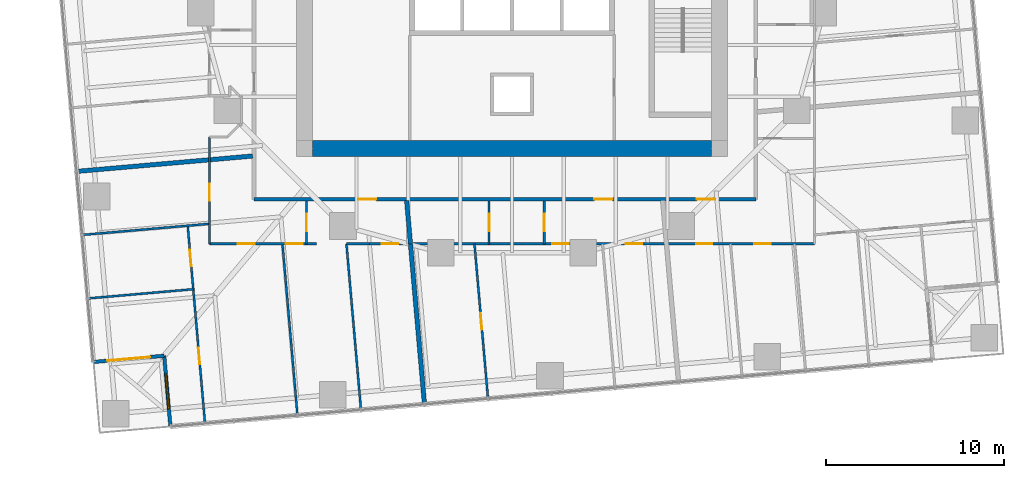
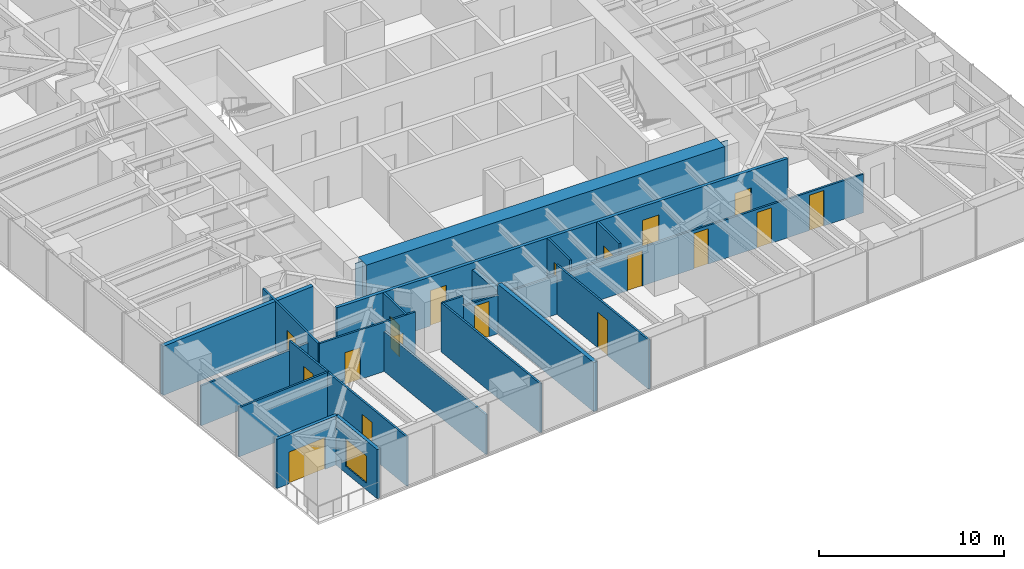
# One storey, part 8 of 14: 20 walls, 18 doors, 1 window, 19 openings.
"""IFC4 building model written with IfcOpenShell, lengths in metres."""

from ifc_helpers import new_model, si_unit, direction, frame, frame_2d, origin, place, context, subcontext, project, spatial, polyline, rectangle, outline, extrude, material, layer, layer_set, type_object, element, fill, save


model = new_model("IFC4")

# Units and contexts
model_context = context("Model", 3, precision=1e-05, world=origin(), true_north=direction((0.0, 1.0)))
body_context = subcontext(model_context, "Body", "Model", "MODEL_VIEW")
ifc_project = project(units=[si_unit("LENGTHUNIT", "METRE"), si_unit("AREAUNIT", "SQUARE_METRE"), si_unit("VOLUMEUNIT", "CUBIC_METRE"), si_unit("PLANEANGLEUNIT", "RADIAN"), si_unit("MASSUNIT", "GRAM", prefix="KILO")], contexts=[model_context])

# Site, building, storey
site_placement = place(None, origin())
site = spatial("IfcSite", under=ifc_project, at=site_placement, CompositionType="ELEMENT")
building_placement = place(site_placement, origin())
building = spatial("IfcBuilding", under=site, at=building_placement, Name="Torsade Residences", CompositionType="ELEMENT")
storey_placement = place(building_placement, frame((0.0, 0.0, 54.0)))
storey = spatial("IfcBuildingStorey", under=building, at=storey_placement, Name="L14", CompositionType="ELEMENT", Elevation=54.0)

# Wall
ifc_material_1 = material(Name="Concrete 80 MPa", Category="concrete")
ifc_layer_1 = layer(ifc_material_1, 0.89990234375)
ifc_layer_set_1 = layer_set([ifc_layer_1], Name="Concrete 80 MPa")
wall_type_1 = type_object("IfcWallType", Name="CORE WALL 900", PredefinedType="SHEAR", material=ifc_layer_set_1)
wall_1_placement = place(storey_placement, frame((51.199951171875, 18.35009765625, 0.0), z_axis=(0.0, 0.0, 1.0), x_axis=(-1.0, 0.0, 0.0)))
element("IfcWall", 1, at=wall_1_placement, inside=storey, type_object=wall_type_1, Name="Core wall S L14", PredefinedType="SHEAR", context=body_context, shape_type="SweptSolid", body=[
    extrude(outline(polyline([(0.0, -0.449951171875), (22.39990234375, -0.449951171875), (22.39990234375, -0.02490234375), (22.849853515625, -0.02490234375), (22.849853515625, 0.02490234375), (22.39990234375, 0.02490234375), (22.39990234375, 0.449951171875), (0.0, 0.449951171875), (0.0, 0.02490234375), (-0.449951171875, 0.02490234375), (-0.449951171875, -0.02490234375), (0.0, -0.02490234375), (0.0, -0.449951171875)])), origin(), (0.0, 0.0, 1.0), 3.39990234375),
])

# Wall, openings, doors
ifc_material_2 = material(Name="Plasterboard on steel stud", Category="steel")
ifc_layer_2 = layer(ifc_material_2, 0.199951171875)
ifc_layer_set_2 = layer_set([ifc_layer_2], Name="Plasterboard on steel stud")
wall_type_2 = type_object("IfcWallType", Name="CORRIDOR WALL 200", PredefinedType="PARTITIONING", material=ifc_layer_set_2)
wall_2_placement = place(storey_placement, frame((25.5, 15.5, 0.0), z_axis=(0.0, 0.0, 1.0), x_axis=(1.0, 0.0, 0.0)))
wall_2 = element("IfcWall", 2, at=wall_2_placement, inside=storey, type_object=wall_type_2, Name="Corridor wall L14", PredefinedType="PARTITIONING", context=body_context, shape_type="SweptSolid", body=[
    extrude(rectangle(XDim=28.199951171875, YDim=0.199951171875, at=frame_2d((14.10009765625, 0.0))), origin(), (0.0, 0.0, 1.0), 3.25),
])
opening_1_placement = place(wall_2_placement, frame((19.123046875, 0.0, 0.0)))
opening_1 = element("IfcOpeningElement", 3, at=opening_1_placement, cuts=wall_2, Name="Opening D01", PredefinedType="OPENING", context=body_context, shape_type="SweptSolid", body=[
    extrude(rectangle(XDim=1.02001953125, YDim=2.340087890625, at=frame_2d((0.510009765625, 1.169921875))), frame((0.0, 0.10986328125, 0.0), z_axis=(0.0, -1.0, 0.0), x_axis=(1.0, 0.0, 0.0)), (0.0, 0.0, 1.0), 0.219970703125),
])
opening_2_placement = place(wall_2_placement, frame((5.85009765625, 0.0, 0.0)))
opening_2 = element("IfcOpeningElement", 4, at=opening_2_placement, cuts=wall_2, Name="Opening D01", PredefinedType="OPENING", context=body_context, shape_type="SweptSolid", body=[
    extrude(rectangle(XDim=1.02001953125, YDim=2.340087890625, at=frame_2d((0.510009765625, 1.169921875))), frame((0.0, 0.10986328125, 0.0), z_axis=(0.0, -1.0, 0.0), x_axis=(1.0, 0.0, 0.0)), (0.0, 0.0, 1.0), 0.219970703125),
])
opening_3_placement = place(wall_2_placement, frame((24.891845703125, 0.0, 0.0)))
opening_3 = element("IfcOpeningElement", 5, at=opening_3_placement, cuts=wall_2, Name="Opening D01L", PredefinedType="OPENING", context=body_context, shape_type="SweptSolid", body=[
    extrude(rectangle(XDim=1.02001953125, YDim=2.10009765625, at=frame_2d((0.510009765625, 1.050048828125))), frame((0.0, 0.10986328125, 0.0), z_axis=(0.0, -1.0, 0.0), x_axis=(1.0, 0.0, 0.0)), (0.0, 0.0, 1.0), 0.219970703125),
])
ifc_material_3 = material(Name="Solid-core timber fire door", Category="wood")
door_type_1 = type_object("IfcDoorType", Name="APARTMENT ENTRY DOOR 1020x2100", OperationType="NOTDEFINED", PredefinedType="DOOR", material=ifc_material_3)
door_1_placement = place(opening_3_placement, origin())
door_1 = element("IfcDoor", 6, at=door_1_placement, inside=storey, type_object=door_type_1, Name="Door Residential corridor to Kitchen and dining", OperationType="SINGLE_SWING_RIGHT", OverallHeight=2.10009765625, OverallWidth=1.02001953125, PredefinedType="DOOR", context=body_context, shape_type="SweptSolid", body=[
    extrude(rectangle(XDim=1.02001953125, YDim=2.10009765625, at=frame_2d((0.510009765625, 1.050048828125))), frame((0.0, 0.02490234375, 0.0), z_axis=(0.0, -1.0, 0.0), x_axis=(1.0, 0.0, 0.0)), (0.0, 0.0, 1.0), 0.050048828125),
])
fill(opening_3, door_1)
ifc_material_4 = material(Name="Solid-core timber fire door", Category="wood")
door_type_2 = type_object("IfcDoorType", Name="APARTMENT ENTRY DOOR 1020x2340", OperationType="NOTDEFINED", PredefinedType="DOOR", material=ifc_material_4)
door_2_placement = place(opening_1_placement, origin())
door_2 = element("IfcDoor", 7, at=door_2_placement, inside=storey, type_object=door_type_2, Name="Door Residential corridor to Kitchen and dining", OperationType="SINGLE_SWING_RIGHT", OverallHeight=2.340087890625, OverallWidth=1.02001953125, PredefinedType="DOOR", context=body_context, shape_type="SweptSolid", body=[
    extrude(rectangle(XDim=1.02001953125, YDim=2.340087890625, at=frame_2d((0.510009765625, 1.169921875))), frame((0.0, 0.02490234375, 0.0), z_axis=(0.0, -1.0, 0.0), x_axis=(1.0, 0.0, 0.0)), (0.0, 0.0, 1.0), 0.050048828125),
])
fill(opening_1, door_2)
door_3_placement = place(opening_2_placement, origin())
door_3 = element("IfcDoor", 8, at=door_3_placement, inside=storey, type_object=door_type_2, Name="Door Residential corridor to Kitchen and dining", OperationType="SINGLE_SWING_RIGHT", OverallHeight=2.340087890625, OverallWidth=1.02001953125, PredefinedType="DOOR", context=body_context, shape_type="SweptSolid", body=[
    extrude(rectangle(XDim=1.02001953125, YDim=2.340087890625, at=frame_2d((0.510009765625, 1.169921875))), frame((0.0, 0.02490234375, 0.0), z_axis=(0.0, -1.0, 0.0), x_axis=(1.0, 0.0, 0.0)), (0.0, 0.0, 1.0), 0.050048828125),
])
fill(opening_2, door_3)

# Wall, opening, door
ifc_material_5 = material(Name="Plasterboard on steel stud", Category="steel")
ifc_layer_3 = layer(ifc_material_5, 0.1201171875)
ifc_layer_set_3 = layer_set([ifc_layer_3], Name="Plasterboard on steel stud")
wall_type_3 = type_object("IfcWallType", Name="PARTITION 120", PredefinedType="PARTITIONING", material=ifc_layer_set_3)
wall_3_placement = place(storey_placement, frame((23.0, 13.0, 0.0), z_axis=(0.0, 0.0, 1.0), x_axis=(0.0, 1.0, 0.0)))
wall_3 = element("IfcWall", 9, at=wall_3_placement, inside=storey, type_object=wall_type_3, Name="Partition L14", PredefinedType="PARTITIONING", context=body_context, shape_type="SweptSolid", body=[
    extrude(rectangle(XDim=6.0, YDim=0.1201171875, at=frame_2d((3.0, 0.0))), origin(), (0.0, 0.0, 1.0), 3.25),
])
opening_4_placement = place(wall_3_placement, frame((2.41796875, 0.0, 0.0)))
opening_4 = element("IfcOpeningElement", 10, at=opening_4_placement, cuts=wall_3, Name="Opening D05", PredefinedType="OPENING", context=body_context, shape_type="SweptSolid", body=[
    extrude(rectangle(XDim=0.9599609375, YDim=2.10009765625, at=frame_2d((0.47998046875, 1.050048828125))), frame((0.0, 0.070068359375, 0.0), z_axis=(0.0, -1.0, 0.0), x_axis=(1.0, 0.0, 0.0)), (0.0, 0.0, 1.0), 0.14013671875),
])
ifc_material_6 = material(Name="Hollow-core timber door in a steel cavity frame", Category="steel")
door_type_3 = type_object("IfcDoorType", Name="BATHROOM CAVITY SLIDING DOOR 960", OperationType="SLIDING_TO_LEFT", PredefinedType="DOOR", material=ifc_material_6)
door_4_placement = place(opening_4_placement, origin())
door_4 = element("IfcDoor", 11, at=door_4_placement, inside=storey, type_object=door_type_3, Name="Door Bathroom to Family room", OperationType="SLIDING_TO_LEFT", OverallHeight=2.10009765625, OverallWidth=0.9599609375, PredefinedType="DOOR", context=body_context, shape_type="SweptSolid", body=[
    extrude(rectangle(XDim=0.9599609375, YDim=2.10009765625, at=frame_2d((0.47998046875, 1.050048828125))), frame((0.0, 0.02490234375, 0.0), z_axis=(0.0, -1.0, 0.0), x_axis=(1.0, 0.0, 0.0)), (0.0, 0.0, 1.0), 0.050048828125),
])
fill(opening_4, door_4)

wall_4_placement = place(storey_placement, frame((28.45361328125, 13.0, 0.0), z_axis=(0.0, 0.0, 1.0), x_axis=(0.0, 1.0, 0.0)))
wall_4 = element("IfcWall", 12, at=wall_4_placement, inside=storey, type_object=wall_type_3, Name="Partition L14", PredefinedType="PARTITIONING", context=body_context, shape_type="SweptSolid", body=[
    extrude(rectangle(XDim=2.39990234375, YDim=0.1201171875, at=frame_2d((1.199951171875, 0.0))), origin(), (0.0, 0.0, 1.0), 3.25),
])
opening_5_placement = place(wall_4_placement, frame((0.719970703125, 0.0, 0.0)))
opening_5 = element("IfcOpeningElement", 13, at=opening_5_placement, cuts=wall_4, Name="Opening D05", PredefinedType="OPENING", context=body_context, shape_type="SweptSolid", body=[
    extrude(rectangle(XDim=0.9599609375, YDim=2.10009765625, at=frame_2d((0.47998046875, 1.050048828125))), frame((0.0, 0.070068359375, 0.0), z_axis=(0.0, -1.0, 0.0), x_axis=(1.0, 0.0, 0.0)), (0.0, 0.0, 1.0), 0.14013671875),
])
door_5_placement = place(opening_5_placement, origin())
door_5 = element("IfcDoor", 14, at=door_5_placement, inside=storey, type_object=door_type_3, Name="Door Kitchen and dining to Bathroom", OperationType="SLIDING_TO_LEFT", OverallHeight=2.10009765625, OverallWidth=0.9599609375, PredefinedType="DOOR", context=body_context, shape_type="SweptSolid", body=[
    extrude(rectangle(XDim=0.9599609375, YDim=2.10009765625, at=frame_2d((0.47998046875, 1.050048828125))), frame((0.0, 0.02490234375, 0.0), z_axis=(0.0, -1.0, 0.0), x_axis=(1.0, 0.0, 0.0)), (0.0, 0.0, 1.0), 0.050048828125),
])
fill(opening_5, door_5)

# Wall, openings, doors
wall_5_placement = place(storey_placement, frame((29.0, 13.0, 0.0), z_axis=(0.0, 0.0, 1.0), x_axis=(-1.0, 0.0, 0.0)))
wall_5 = element("IfcWall", 15, at=wall_5_placement, inside=storey, type_object=wall_type_3, Name="Partition L14", PredefinedType="PARTITIONING", context=body_context, shape_type="SweptSolid", body=[
    extrude(rectangle(XDim=6.0, YDim=0.1201171875, at=frame_2d((3.0, 0.0))), origin(), (0.0, 0.0, 1.0), 3.25),
])
opening_6_placement = place(wall_5_placement, frame((3.4453125, 0.0, 0.0)))
opening_6 = element("IfcOpeningElement", 16, at=opening_6_placement, cuts=wall_5, Name="Opening D05", PredefinedType="OPENING", context=body_context, shape_type="SweptSolid", body=[
    extrude(rectangle(XDim=0.9599609375, YDim=2.10009765625, at=frame_2d((0.47998046875, 1.050048828125))), frame((0.0, 0.070068359375, 0.0), z_axis=(0.0, -1.0, 0.0), x_axis=(1.0, 0.0, 0.0)), (0.0, 0.0, 1.0), 0.14013671875),
])
opening_7_placement = place(wall_5_placement, frame((0.768798828125, 0.0, 0.0)))
opening_7 = element("IfcOpeningElement", 17, at=opening_7_placement, cuts=wall_5, Name="Opening D05", PredefinedType="OPENING", context=body_context, shape_type="SweptSolid", body=[
    extrude(rectangle(XDim=0.9599609375, YDim=2.10009765625, at=frame_2d((0.47998046875, 1.050048828125))), frame((0.0, 0.070068359375, 0.0), z_axis=(0.0, -1.0, 0.0), x_axis=(1.0, 0.0, 0.0)), (0.0, 0.0, 1.0), 0.14013671875),
])
door_6_placement = place(opening_6_placement, origin())
door_6 = element("IfcDoor", 18, at=door_6_placement, inside=storey, type_object=door_type_3, Name="Door Bathroom to Living room", OperationType="SLIDING_TO_LEFT", OverallHeight=2.10009765625, OverallWidth=0.9599609375, PredefinedType="DOOR", context=body_context, shape_type="SweptSolid", body=[
    extrude(rectangle(XDim=0.9599609375, YDim=2.10009765625, at=frame_2d((0.47998046875, 1.050048828125))), frame((0.0, 0.02490234375, 0.0), z_axis=(0.0, -1.0, 0.0), x_axis=(1.0, 0.0, 0.0)), (0.0, 0.0, 1.0), 0.050048828125),
])
fill(opening_6, door_6)
door_7_placement = place(opening_7_placement, origin())
door_7 = element("IfcDoor", 19, at=door_7_placement, inside=storey, type_object=door_type_3, Name="Door Bathroom to Bedroom 1", OperationType="SLIDING_TO_LEFT", OverallHeight=2.10009765625, OverallWidth=0.9599609375, PredefinedType="DOOR", context=body_context, shape_type="SweptSolid", body=[
    extrude(rectangle(XDim=0.9599609375, YDim=2.10009765625, at=frame_2d((0.47998046875, 1.050048828125))), frame((0.0, 0.02490234375, 0.0), z_axis=(0.0, -1.0, 0.0), x_axis=(1.0, 0.0, 0.0)), (0.0, 0.0, 1.0), 0.050048828125),
])
fill(opening_7, door_7)

wall_6_placement = place(storey_placement, frame((57.0, 13.0, 0.0), z_axis=(0.0, 0.0, 1.0), x_axis=(-1.0, 0.0, 0.0)))
wall_6 = element("IfcWall", 20, at=wall_6_placement, inside=storey, type_object=wall_type_3, Name="Partition L14", PredefinedType="PARTITIONING", context=body_context, shape_type="SweptSolid", body=[
    extrude(rectangle(XDim=25.0, YDim=0.1201171875, at=frame_2d((12.5, 0.0))), origin(), (0.0, 0.0, 1.0), 2.550048828125),
])
opening_8_placement = place(wall_6_placement, frame((9.682373046875, 0.0, 0.0)))
opening_8 = element("IfcOpeningElement", 21, at=opening_8_placement, cuts=wall_6, Name="Opening D02", PredefinedType="OPENING", context=body_context, shape_type="SweptSolid", body=[
    extrude(rectangle(XDim=0.919921875, YDim=2.340087890625, at=frame_2d((0.4599609375, 1.169921875))), frame((0.0, 0.070068359375, 0.0), z_axis=(0.0, -1.0, 0.0), x_axis=(1.0, 0.0, 0.0)), (0.0, 0.0, 1.0), 0.14013671875),
])
opening_9_placement = place(wall_6_placement, frame((13.817138671875, 0.0, 0.0)))
opening_9 = element("IfcOpeningElement", 22, at=opening_9_placement, cuts=wall_6, Name="Opening D02", PredefinedType="OPENING", context=body_context, shape_type="SweptSolid", body=[
    extrude(rectangle(XDim=0.919921875, YDim=2.340087890625, at=frame_2d((0.4599609375, 1.169921875))), frame((0.0, 0.070068359375, 0.0), z_axis=(0.0, -1.0, 0.0), x_axis=(1.0, 0.0, 0.0)), (0.0, 0.0, 1.0), 0.14013671875),
])
opening_10_placement = place(wall_6_placement, frame((23.393310546875, 0.0, 0.0)))
opening_10 = element("IfcOpeningElement", 23, at=opening_10_placement, cuts=wall_6, Name="Opening D02", PredefinedType="OPENING", context=body_context, shape_type="SweptSolid", body=[
    extrude(rectangle(XDim=0.919921875, YDim=2.340087890625, at=frame_2d((0.4599609375, 1.169921875))), frame((0.0, 0.070068359375, 0.0), z_axis=(0.0, -1.0, 0.0), x_axis=(1.0, 0.0, 0.0)), (0.0, 0.0, 1.0), 0.14013671875),
])
opening_11_placement = place(wall_6_placement, frame((2.463134765625, 0.0, 0.0)))
opening_11 = element("IfcOpeningElement", 24, at=opening_11_placement, cuts=wall_6, Name="Opening D02", PredefinedType="OPENING", context=body_context, shape_type="SweptSolid", body=[
    extrude(rectangle(XDim=0.919921875, YDim=2.340087890625, at=frame_2d((0.4599609375, 1.169921875))), frame((0.0, 0.070068359375, 0.0), z_axis=(0.0, -1.0, 0.0), x_axis=(1.0, 0.0, 0.0)), (0.0, 0.0, 1.0), 0.14013671875),
])
opening_12_placement = place(wall_6_placement, frame((5.735107421875, 0.0, 0.0)))
opening_12 = element("IfcOpeningElement", 25, at=opening_12_placement, cuts=wall_6, Name="Opening D02", PredefinedType="OPENING", context=body_context, shape_type="SweptSolid", body=[
    extrude(rectangle(XDim=0.919921875, YDim=2.340087890625, at=frame_2d((0.4599609375, 1.169921875))), frame((0.0, 0.070068359375, 0.0), z_axis=(0.0, -1.0, 0.0), x_axis=(1.0, 0.0, 0.0)), (0.0, 0.0, 1.0), 0.14013671875),
])
ifc_material_7 = material(Name="Hollow-core timber door", Category="wood")
door_type_4 = type_object("IfcDoorType", Name="INTERNAL DOOR 920x2340", OperationType="NOTDEFINED", PredefinedType="DOOR", material=ifc_material_7)
door_8_placement = place(opening_8_placement, origin())
door_8 = element("IfcDoor", 26, at=door_8_placement, inside=storey, type_object=door_type_4, Name="Door Kitchen and dining to Bedroom 2", OperationType="SINGLE_SWING_RIGHT", OverallHeight=2.340087890625, OverallWidth=0.919921875, PredefinedType="DOOR", context=body_context, shape_type="SweptSolid", body=[
    extrude(rectangle(XDim=0.919921875, YDim=2.340087890625, at=frame_2d((0.4599609375, 1.169921875))), frame((0.0, 0.02490234375, 0.0), z_axis=(0.0, -1.0, 0.0), x_axis=(1.0, 0.0, 0.0)), (0.0, 0.0, 1.0), 0.050048828125),
])
fill(opening_8, door_8)
door_9_placement = place(opening_9_placement, origin())
door_9 = element("IfcDoor", 27, at=door_9_placement, inside=storey, type_object=door_type_4, Name="Door Kitchen and dining to Living room", OperationType="SINGLE_SWING_LEFT", OverallHeight=2.340087890625, OverallWidth=0.919921875, PredefinedType="DOOR", context=body_context, shape_type="SweptSolid", body=[
    extrude(rectangle(XDim=0.919921875, YDim=2.340087890625, at=frame_2d((0.4599609375, 1.169921875))), frame((0.0, 0.02490234375, 0.0), z_axis=(0.0, -1.0, 0.0), x_axis=(1.0, 0.0, 0.0)), (0.0, 0.0, 1.0), 0.050048828125),
])
fill(opening_9, door_9)
door_10_placement = place(opening_10_placement, origin())
door_10 = element("IfcDoor", 28, at=door_10_placement, inside=storey, type_object=door_type_4, Name="Door Kitchen and dining to Bedroom 2", OperationType="SINGLE_SWING_LEFT", OverallHeight=2.340087890625, OverallWidth=0.919921875, PredefinedType="DOOR", context=body_context, shape_type="SweptSolid", body=[
    extrude(rectangle(XDim=0.919921875, YDim=2.340087890625, at=frame_2d((0.4599609375, 1.169921875))), frame((0.0, 0.02490234375, 0.0), z_axis=(0.0, -1.0, 0.0), x_axis=(1.0, 0.0, 0.0)), (0.0, 0.0, 1.0), 0.050048828125),
])
fill(opening_10, door_10)
door_11_placement = place(opening_11_placement, origin())
door_11 = element("IfcDoor", 29, at=door_11_placement, inside=storey, type_object=door_type_4, Name="Door Kitchen and dining to Family room", OperationType="SINGLE_SWING_LEFT", OverallHeight=2.340087890625, OverallWidth=0.919921875, PredefinedType="DOOR", context=body_context, shape_type="SweptSolid", body=[
    extrude(rectangle(XDim=0.919921875, YDim=2.340087890625, at=frame_2d((0.4599609375, 1.169921875))), frame((0.0, 0.02490234375, 0.0), z_axis=(0.0, -1.0, 0.0), x_axis=(1.0, 0.0, 0.0)), (0.0, 0.0, 1.0), 0.050048828125),
])
fill(opening_11, door_11)
door_12_placement = place(opening_12_placement, origin())
door_12 = element("IfcDoor", 30, at=door_12_placement, inside=storey, type_object=door_type_4, Name="Door Kitchen and dining to Bedroom 1", OperationType="SINGLE_SWING_LEFT", OverallHeight=2.340087890625, OverallWidth=0.919921875, PredefinedType="DOOR", context=body_context, shape_type="SweptSolid", body=[
    extrude(rectangle(XDim=0.919921875, YDim=2.340087890625, at=frame_2d((0.4599609375, 1.169921875))), frame((0.0, 0.02490234375, 0.0), z_axis=(0.0, -1.0, 0.0), x_axis=(1.0, 0.0, 0.0)), (0.0, 0.0, 1.0), 0.050048828125),
])
fill(opening_12, door_12)

# Wall
wall_7_placement = place(storey_placement, frame((27.09912109375, 13.0, 0.0), z_axis=(0.0, 0.0, 1.0), x_axis=(0.087165694789, -0.996193827351, 0.0)))
element("IfcWall", 31, at=wall_7_placement, inside=storey, type_object=wall_type_3, Name="Partition L14", PredefinedType="PARTITIONING", context=body_context, shape_type="SweptSolid", body=[
    extrude(rectangle(XDim=9.64892578125, YDim=0.1201171875, at=frame_2d((4.824462890625, 0.0))), origin(), (0.0, 0.0, 1.0), 2.637939453125),
])

# Wall, openings, doors
wall_8_placement = place(storey_placement, frame((22.745361328125, 2.93310546875, 0.0), z_axis=(0.0, 0.0, 1.0), x_axis=(-0.087152252187, 0.99619500347, 0.0)))
wall_8 = element("IfcWall", 32, at=wall_8_placement, inside=storey, type_object=wall_type_3, Name="Partition L14", PredefinedType="PARTITIONING", context=body_context, shape_type="SweptSolid", body=[
    extrude(rectangle(XDim=11.126708984375, YDim=0.1201171875, at=frame_2d((5.5634765625, 0.0))), origin(), (0.0, 0.0, 1.0), 3.25),
])
opening_13_placement = place(wall_8_placement, frame((3.316650390625, 0.0, 0.0)))
opening_13 = element("IfcOpeningElement", 33, at=opening_13_placement, cuts=wall_8, Name="Opening D02", PredefinedType="OPENING", context=body_context, shape_type="SweptSolid", body=[
    extrude(rectangle(XDim=0.919921875, YDim=2.340087890625, at=frame_2d((0.4599609375, 1.169921875))), frame((0.0, 0.070068359375, 0.0), z_axis=(0.0, -1.0, 0.0), x_axis=(1.0, 0.0, 0.0)), (0.0, 0.0, 1.0), 0.14013671875),
])
opening_14_placement = place(wall_8_placement, frame((8.85009765625, 0.0, 0.0)))
opening_14 = element("IfcOpeningElement", 34, at=opening_14_placement, cuts=wall_8, Name="Opening D02", PredefinedType="OPENING", context=body_context, shape_type="SweptSolid", body=[
    extrude(rectangle(XDim=0.919921875, YDim=2.340087890625, at=frame_2d((0.4599609375, 1.169921875))), frame((0.0, 0.070068359375, 0.0), z_axis=(0.0, -1.0, 0.0), x_axis=(1.0, 0.0, 0.0)), (0.0, 0.0, 1.0), 0.14013671875),
])
door_13_placement = place(opening_13_placement, origin())
door_13 = element("IfcDoor", 35, at=door_13_placement, inside=storey, type_object=door_type_4, Name="Door Living room to Study", OperationType="SINGLE_SWING_RIGHT", OverallHeight=2.340087890625, OverallWidth=0.919921875, PredefinedType="DOOR", context=body_context, shape_type="SweptSolid", body=[
    extrude(rectangle(XDim=0.919921875, YDim=2.340087890625, at=frame_2d((0.4599609375, 1.169921875))), frame((0.0, 0.02490234375, 0.0), z_axis=(0.0, -1.0, 0.0), x_axis=(1.0, 0.0, 0.0)), (0.0, 0.0, 1.0), 0.050048828125),
])
fill(opening_13, door_13)
door_14_placement = place(opening_14_placement, origin())
door_14 = element("IfcDoor", 36, at=door_14_placement, inside=storey, type_object=door_type_4, Name="Door Living room to Media room", OperationType="SINGLE_SWING_LEFT", OverallHeight=2.340087890625, OverallWidth=0.919921875, PredefinedType="DOOR", context=body_context, shape_type="SweptSolid", body=[
    extrude(rectangle(XDim=0.919921875, YDim=2.340087890625, at=frame_2d((0.4599609375, 1.169921875))), frame((0.0, 0.02490234375, 0.0), z_axis=(0.0, -1.0, 0.0), x_axis=(1.0, 0.0, 0.0)), (0.0, 0.0, 1.0), 0.050048828125),
])
fill(opening_14, door_14)

# Walls
wall_9_placement = place(storey_placement, frame((15.88623046875, 13.502197265625, 0.0), z_axis=(0.0, 0.0, 1.0), x_axis=(0.996195424363, 0.087147441029, 0.0)))
element("IfcWall", 37, at=wall_9_placement, inside=storey, type_object=wall_type_3, Name="Partition L14", PredefinedType="PARTITIONING", context=body_context, shape_type="SweptSolid", body=[
    extrude(rectangle(XDim=7.140869140625, YDim=0.1201171875, at=frame_2d((3.5703125, 0.0))), origin(), (0.0, 0.0, 1.0), 2.637939453125),
])
wall_10_placement = place(storey_placement, frame((30.6962890625, 13.0, 0.0), z_axis=(0.0, 0.0, 1.0), x_axis=(0.087163381753, -0.996194029736, 0.0)))
element("IfcWall", 38, at=wall_10_placement, inside=storey, type_object=wall_type_3, Name="Partition L14", PredefinedType="PARTITIONING", context=body_context, shape_type="SweptSolid", body=[
    extrude(rectangle(XDim=9.335693359375, YDim=0.1201171875, at=frame_2d((4.66796875, 0.0))), origin(), (0.0, 0.0, 1.0), 3.25),
])
wall_11_placement = place(storey_placement, frame((16.198486328125, 9.9326171875, 0.0), z_axis=(0.0, 0.0, 1.0), x_axis=(0.996196451325, 0.087135700879, 0.0)))
element("IfcWall", 39, at=wall_11_placement, inside=storey, type_object=wall_type_3, Name="Partition L14", PredefinedType="PARTITIONING", context=body_context, shape_type="SweptSolid", body=[
    extrude(rectangle(XDim=5.911865234375, YDim=0.1201171875, at=frame_2d((2.9560546875, 0.0))), origin(), (0.0, 0.0, 1.0), 3.25),
])

# Wall, opening, door
wall_12_placement = place(storey_placement, frame((41.811279296875, 13.0, 0.0), z_axis=(0.0, 0.0, 1.0), x_axis=(0.0, 1.0, 0.0)))
wall_12 = element("IfcWall", 40, at=wall_12_placement, inside=storey, type_object=wall_type_3, Name="Partition L14", PredefinedType="PARTITIONING", context=body_context, shape_type="SweptSolid", body=[
    extrude(rectangle(XDim=2.39990234375, YDim=0.1201171875, at=frame_2d((1.199951171875, 0.0))), origin(), (0.0, 0.0, 1.0), 3.25),
])
opening_15_placement = place(wall_12_placement, frame((0.719970703125, 0.0, 0.0)))
opening_15 = element("IfcOpeningElement", 41, at=opening_15_placement, cuts=wall_12, Name="Opening D05", PredefinedType="OPENING", context=body_context, shape_type="SweptSolid", body=[
    extrude(rectangle(XDim=0.9599609375, YDim=2.10009765625, at=frame_2d((0.47998046875, 1.050048828125))), frame((0.0, 0.070068359375, 0.0), z_axis=(0.0, -1.0, 0.0), x_axis=(1.0, 0.0, 0.0)), (0.0, 0.0, 1.0), 0.14013671875),
])
door_15_placement = place(opening_15_placement, origin())
door_15 = element("IfcDoor", 42, at=door_15_placement, inside=storey, type_object=door_type_3, Name="Door Kitchen and dining to Ensuite", OperationType="SLIDING_TO_LEFT", OverallHeight=2.10009765625, OverallWidth=0.9599609375, PredefinedType="DOOR", context=body_context, shape_type="SweptSolid", body=[
    extrude(rectangle(XDim=0.9599609375, YDim=2.10009765625, at=frame_2d((0.47998046875, 1.050048828125))), frame((0.0, 0.02490234375, 0.0), z_axis=(0.0, -1.0, 0.0), x_axis=(1.0, 0.0, 0.0)), (0.0, 0.0, 1.0), 0.050048828125),
])
fill(opening_15, door_15)

wall_13_placement = place(storey_placement, frame((38.71435546875, 15.39990234375, 0.0), z_axis=(0.0, 0.0, 1.0), x_axis=(0.0, -1.0, 0.0)))
wall_13 = element("IfcWall", 43, at=wall_13_placement, inside=storey, type_object=wall_type_3, Name="Partition L14", PredefinedType="PARTITIONING", context=body_context, shape_type="SweptSolid", body=[
    extrude(rectangle(XDim=2.39990234375, YDim=0.1201171875, at=frame_2d((1.199951171875, 0.0))), origin(), (0.0, 0.0, 1.0), 3.25),
])
opening_16_placement = place(wall_13_placement, frame((0.719970703125, 0.0, 0.0)))
opening_16 = element("IfcOpeningElement", 44, at=opening_16_placement, cuts=wall_13, Name="Opening D05", PredefinedType="OPENING", context=body_context, shape_type="SweptSolid", body=[
    extrude(rectangle(XDim=0.9599609375, YDim=2.10009765625, at=frame_2d((0.47998046875, 1.050048828125))), frame((0.0, 0.070068359375, 0.0), z_axis=(0.0, -1.0, 0.0), x_axis=(1.0, 0.0, 0.0)), (0.0, 0.0, 1.0), 0.14013671875),
])
door_16_placement = place(opening_16_placement, origin())
door_16 = element("IfcDoor", 45, at=door_16_placement, inside=storey, type_object=door_type_3, Name="Door Ensuite to Bathroom", OperationType="SLIDING_TO_LEFT", OverallHeight=2.10009765625, OverallWidth=0.9599609375, PredefinedType="DOOR", context=body_context, shape_type="SweptSolid", body=[
    extrude(rectangle(XDim=0.9599609375, YDim=2.10009765625, at=frame_2d((0.47998046875, 1.050048828125))), frame((0.0, 0.02490234375, 0.0), z_axis=(0.0, -1.0, 0.0), x_axis=(1.0, 0.0, 0.0)), (0.0, 0.0, 1.0), 0.050048828125),
])
fill(opening_16, door_16)

wall_14_placement = place(storey_placement, frame((38.6494140625, 4.324462890625, 0.0), z_axis=(0.0, 0.0, 1.0), x_axis=(-0.087158256162, 0.996194478193, 0.0)))
wall_14 = element("IfcWall", 46, at=wall_14_placement, inside=storey, type_object=wall_type_3, Name="Partition L14", PredefinedType="PARTITIONING", context=body_context, shape_type="SweptSolid", body=[
    extrude(rectangle(XDim=8.708740234375, YDim=0.1201171875, at=frame_2d((4.3544921875, 0.0))), origin(), (0.0, 0.0, 1.0), 3.25),
])
opening_17_placement = place(wall_14_placement, frame((3.874267578125, 0.0, 0.0)))
opening_17 = element("IfcOpeningElement", 47, at=opening_17_placement, cuts=wall_14, Name="Opening D02", PredefinedType="OPENING", context=body_context, shape_type="SweptSolid", body=[
    extrude(rectangle(XDim=0.919921875, YDim=2.340087890625, at=frame_2d((0.4599609375, 1.169921875))), frame((0.0, 0.070068359375, 0.0), z_axis=(0.0, -1.0, 0.0), x_axis=(1.0, 0.0, 0.0)), (0.0, 0.0, 1.0), 0.14013671875),
])
door_17_placement = place(opening_17_placement, origin())
door_17 = element("IfcDoor", 48, at=door_17_placement, inside=storey, type_object=door_type_4, Name="Door Living room to Bedroom 1", OperationType="SINGLE_SWING_LEFT", OverallHeight=2.340087890625, OverallWidth=0.919921875, PredefinedType="DOOR", context=body_context, shape_type="SweptSolid", body=[
    extrude(rectangle(XDim=0.919921875, YDim=2.340087890625, at=frame_2d((0.4599609375, 1.169921875))), frame((0.0, 0.02490234375, 0.0), z_axis=(0.0, -1.0, 0.0), x_axis=(1.0, 0.0, 0.0)), (0.0, 0.0, 1.0), 0.050048828125),
])
fill(opening_17, door_17)

# Walls
wall_15_placement = place(storey_placement, frame((32.0, 13.0, 0.0), z_axis=(0.0, 0.0, 1.0), x_axis=(-1.0, 0.0, 0.0)))
element("IfcWall", 49, at=wall_15_placement, inside=storey, type_object=wall_type_3, Name="Partition L14", PredefinedType="PARTITIONING", context=body_context, shape_type="SweptSolid", body=[
    extrude(rectangle(XDim=1.3037109375, YDim=0.1201171875, at=frame_2d((0.65185546875, 0.0))), origin(), (0.0, 0.0, 1.0), 3.25),
])
ifc_material_8 = material(Name="Masonry-lined stud party wall", Category="masonry")
ifc_layer_4 = layer(ifc_material_8, 0.25)
ifc_layer_set_4 = layer_set([ifc_layer_4], Name="Masonry-lined stud party wall")
wall_type_4 = type_object("IfcWallType", Name="PARTY WALL 250", PredefinedType="PARTITIONING", material=ifc_layer_set_4)
wall_16_placement = place(storey_placement, frame((35.0830078125, 3.972412109375, 0.0), z_axis=(0.0, 0.0, 1.0), x_axis=(-0.087156255496, 0.996194653232, 0.0)))
element("IfcWall", 50, at=wall_16_placement, inside=storey, type_object=wall_type_4, Name="Party wall L14", PredefinedType="PARTITIONING", context=body_context, shape_type="SweptSolid", body=[
    extrude(rectangle(XDim=9.061767578125, YDim=0.25, at=frame_2d((4.53076171875, 0.0))), origin(), (0.0, 0.0, 1.0), 3.25),
])
wall_17_placement = place(storey_placement, frame((34.293212890625, 12.999755859375, 0.0), z_axis=(0.0, 0.0, 1.0), x_axis=(-0.08710485024, 0.996199149299, 0.0)))
element("IfcWall", 51, at=wall_17_placement, inside=storey, type_object=wall_type_4, Name="Party wall L14", PredefinedType="PARTITIONING", context=body_context, shape_type="SweptSolid", body=[
    extrude(rectangle(XDim=2.4384765625, YDim=0.25, at=frame_2d((1.21923828125, 0.0))), origin(), (0.0, 0.0, 1.0), 2.7958984375),
])
wall_18_placement = place(storey_placement, frame((15.533935546875, 17.068359375, 0.0), z_axis=(0.0, 0.0, 1.0), x_axis=(0.996194517831, 0.087157803114, 0.0)))
element("IfcWall", 52, at=wall_18_placement, inside=storey, type_object=wall_type_4, Name="Party wall L14", PredefinedType="PARTITIONING", context=body_context, shape_type="SweptSolid", body=[
    extrude(rectangle(XDim=9.932861328125, YDim=0.25, at=frame_2d((4.96630859375, 0.0))), origin(), (0.0, 0.0, 1.0), 3.25),
])

# Wall, opening, door
ifc_material_9 = material(Name="Stone-faced precast concrete 40 MPa panel", Category="masonry")
ifc_layer_5 = layer(ifc_material_9, 0.199951171875)
ifc_layer_set_5 = layer_set([ifc_layer_5], Name="Stone-faced precast concrete 40 MPa panel")
wall_type_5 = type_object("IfcWallType", Name="TERRACE WALL 200", PredefinedType="SOLIDWALL", material=ifc_layer_set_5)
wall_19_placement = place(storey_placement, frame((16.470947265625, 6.359375, 0.0), z_axis=(0.0, 0.0, 1.0), x_axis=(0.99619418125, 0.087161650072, 0.0)))
wall_19 = element("IfcWall", 53, at=wall_19_placement, inside=storey, type_object=wall_type_5, Name="Terrace wall L14 11", PredefinedType="SOLIDWALL", context=body_context, shape_type="SweptSolid", body=[
    extrude(rectangle(XDim=3.999755859375, YDim=0.199951171875, at=frame_2d((2.0, 0.0))), origin(), (0.0, 0.0, 1.0), 3.25),
])
opening_18_placement = place(wall_19_placement, frame((0.800048828125, 0.0, 0.0)))
opening_18 = element("IfcOpeningElement", 54, at=opening_18_placement, cuts=wall_19, Name="Opening D10A", PredefinedType="OPENING", context=body_context, shape_type="SweptSolid", body=[
    extrude(rectangle(XDim=2.39990234375, YDim=2.10009765625, at=frame_2d((1.199951171875, 1.050048828125))), frame((0.0, 0.10986328125, 0.0), z_axis=(0.0, -1.0, 0.0), x_axis=(1.0, 0.0, 0.0)), (0.0, 0.0, 1.0), 0.219970703125),
])
ifc_material_10 = material(Name="Aluminium-framed glass door", Category="aluminium")
door_type_5 = type_object("IfcDoorType", Name="TERRACE SLIDING DOOR 2400x2100", OperationType="SLIDING_TO_LEFT", PredefinedType="DOOR", material=ifc_material_10)
door_18_placement = place(opening_18_placement, origin())
door_18 = element("IfcDoor", 55, at=door_18_placement, inside=storey, type_object=door_type_5, Name="Terrace door L14 11", OperationType="SLIDING_TO_LEFT", OverallHeight=2.10009765625, OverallWidth=2.39990234375, PredefinedType="DOOR", context=body_context, shape_type="SweptSolid", body=[
    extrude(rectangle(XDim=2.39990234375, YDim=2.10009765625, at=frame_2d((1.199951171875, 1.050048828125))), frame((0.0, 0.02490234375, 0.0), z_axis=(0.0, -1.0, 0.0), x_axis=(1.0, 0.0, 0.0)), (0.0, 0.0, 1.0), 0.050048828125),
])
fill(opening_18, door_18)

# Wall, opening, window
wall_20_placement = place(storey_placement, frame((20.45556640625, 6.7080078125, 0.0), z_axis=(0.0, 0.0, 1.0), x_axis=(0.087156350505, -0.99619464492, 0.0)))
wall_20 = element("IfcWall", 56, at=wall_20_placement, inside=storey, type_object=wall_type_5, Name="Terrace wall L14 12", PredefinedType="SOLIDWALL", context=body_context, shape_type="SweptSolid", body=[
    extrude(rectangle(XDim=4.0, YDim=0.199951171875, at=frame_2d((2.0, 0.0))), origin(), (0.0, 0.0, 1.0), 3.25),
])
opening_19_placement = place(wall_20_placement, frame((1.0, 0.0, 0.449951171875)))
opening_19 = element("IfcOpeningElement", 57, at=opening_19_placement, cuts=wall_20, Name="Opening W1B", PredefinedType="OPENING", context=body_context, shape_type="SweptSolid", body=[
    extrude(rectangle(XDim=2.0, YDim=1.800048828125, at=frame_2d((1.0, 0.89990234375))), frame((0.0, 0.10986328125, 0.0), z_axis=(0.0, -1.0, 0.0), x_axis=(1.0, 0.0, 0.0)), (0.0, 0.0, 1.0), 0.219970703125),
])
ifc_material_11 = material(Name="Aluminium-framed glass window", Category="aluminium")
window_type = type_object("IfcWindowType", Name="TERRACE WINDOW 2000x1800", PartitioningType="SINGLE_PANEL", PredefinedType="WINDOW", material=ifc_material_11)
window_placement = place(opening_19_placement, origin())
window = element("IfcWindow", 58, at=window_placement, inside=storey, type_object=window_type, Name="Terrace window L14 12", OverallHeight=1.800048828125, OverallWidth=2.0, PartitioningType="SINGLE_PANEL", PredefinedType="WINDOW", context=body_context, shape_type="SweptSolid", body=[
    extrude(rectangle(XDim=2.0, YDim=1.800048828125, at=frame_2d((1.0, 0.89990234375))), frame((0.0, 0.030029296875, 0.0), z_axis=(0.0, -1.0, 0.0), x_axis=(1.0, 0.0, 0.0)), (0.0, 0.0, 1.0), 0.06005859375),
])
fill(opening_19, window)

save(model, "model.ifc")
